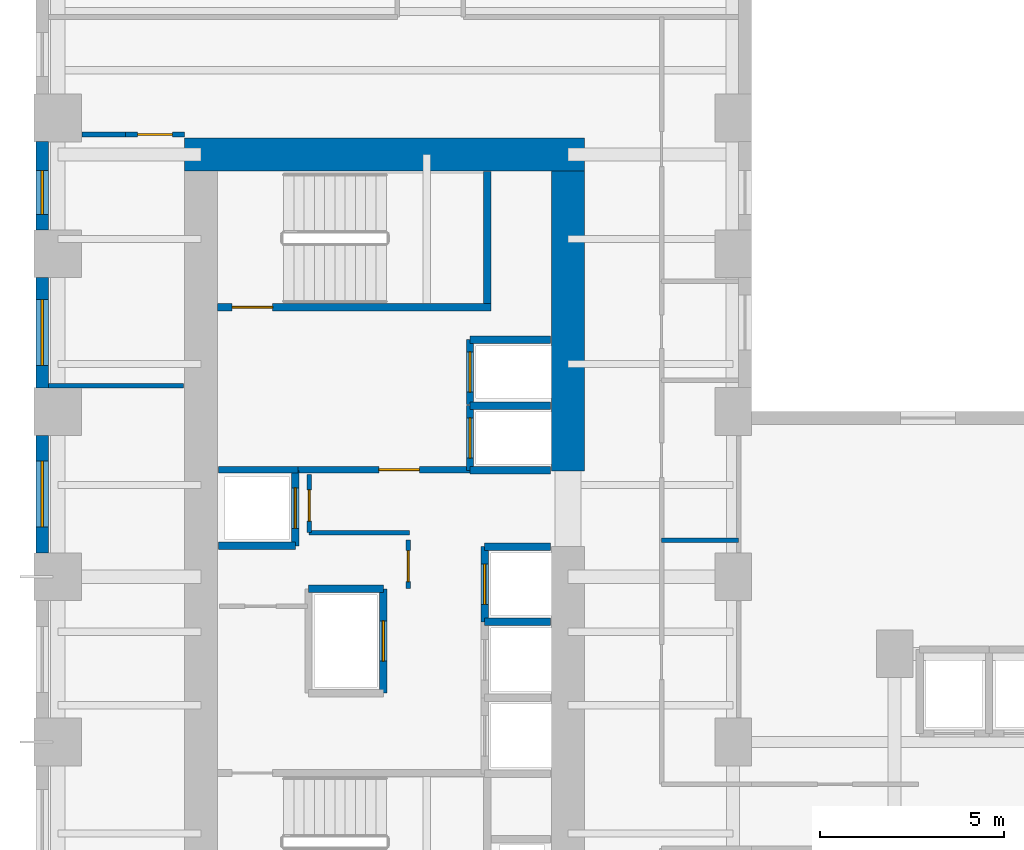
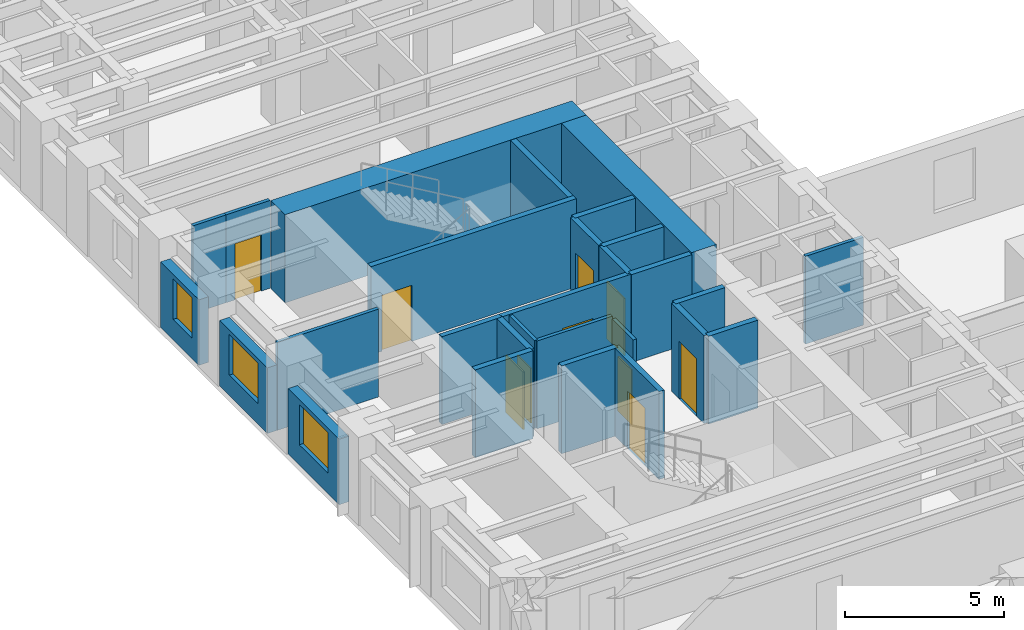
# One storey, part 5 of 12: 28 walls, 10 doors, 3 windows, 13 openings.
"""IFC4 building model written with IfcOpenShell, lengths in metres."""

from ifc_helpers import new_model, si_unit, direction, frame, frame_2d, origin, place, context, subcontext, project, spatial, rectangle, extrude, source, transform, mapped, material, layer, layer_set, type_object, element, fill, save


model = new_model("IFC4")

# Units and contexts
model_context = context("Model", 3, precision=1e-05, world=origin(), true_north=direction((0.0, 1.0)))
body_context = subcontext(model_context, "Body", "Model", "MODEL_VIEW")
ifc_project = project(units=[si_unit("LENGTHUNIT", "METRE"), si_unit("AREAUNIT", "SQUARE_METRE"), si_unit("VOLUMEUNIT", "CUBIC_METRE"), si_unit("PLANEANGLEUNIT", "RADIAN"), si_unit("MASSUNIT", "GRAM", prefix="KILO")], contexts=[model_context])

# Site, building, storey
site_placement = place(None, origin())
site = spatial("IfcSite", under=ifc_project, at=site_placement, CompositionType="ELEMENT")
building_placement = place(site_placement, origin())
building = spatial("IfcBuilding", under=site, at=building_placement, Name="Kharzan Plaza Tower", CompositionType="ELEMENT")
storey_placement = place(building_placement, frame((0.0, 0.0, 33.300048828125)))
storey = spatial("IfcBuildingStorey", under=building, at=storey_placement, Name="L08", CompositionType="ELEMENT", Elevation=33.300048828125)

# Wall, opening, window
ifc_material_1 = material(Name="Concrete C40/50", Category="concrete")
ifc_layer_1 = layer(ifc_material_1, 0.35009765625)
ifc_layer_set_1 = layer_set([ifc_layer_1], Name="Concrete C40/50")
wall_type_1 = type_object("IfcWallType", Name="WL-EXT-MAS-Z1", PredefinedType="SOLIDWALL", material=ifc_layer_set_1)
wall_1_placement = place(storey_placement, frame((0.175048828125, 29.85205078125, 0.0), z_axis=(0.0, 0.0, 1.0), x_axis=(0.0, -1.0, 0.0)))
wall_1 = element("IfcWall", 1, at=wall_1_placement, inside=storey, type_object=wall_type_1, Name="L08 Masonry-Frame Exterior Wall 14", PredefinedType="SOLIDWALL", context=body_context, shape_type="SweptSolid", body=[
    extrude(rectangle(XDim=2.404052734375, YDim=0.35009765625, at=frame_2d((1.2021484375, 0.0))), origin(), (0.0, 0.0, 1.0), 2.510009765625),
])
opening_1_placement = place(wall_1_placement, frame((0.786865234375, 0.0, 0.780029296875)))
opening_1 = element("IfcOpeningElement", 2, at=opening_1_placement, cuts=wall_1, Name="Opening W3", PredefinedType="OPENING", context=body_context, shape_type="SweptSolid", body=[
    extrude(rectangle(XDim=1.199951171875, YDim=1.550048828125, at=frame_2d((0.60009765625, 0.77490234375))), frame((0.0, 0.18505859375, 0.0), z_axis=(0.0, -1.0, 0.0), x_axis=(1.0, 0.0, 0.0)), (0.0, 0.0, 1.0), 0.3701171875),
])
ifc_material_2 = material(Name="Low-E Double Glazing", Category="glass")
window_type_1 = type_object("IfcWindowType", Name="WN-REC-1200x2100", PartitioningType="SINGLE_PANEL", PredefinedType="WINDOW", material=ifc_material_2)
shared_shape_1 = source(origin(), body_context, "Body", "SweptSolid", [
    extrude(rectangle(XDim=1.199951171875, YDim=1.550048828125, at=frame_2d((0.60009765625, 0.77490234375))), frame((0.0, 0.030029296875, 0.0), z_axis=(0.0, -1.0, 0.0), x_axis=(1.0, 0.0, 0.0)), (0.0, 0.0, 1.0), 0.06005859375),
])
window_1_placement = place(opening_1_placement, origin())
window_1 = element("IfcWindow", 3, at=window_1_placement, inside=storey, type_object=window_type_1, Name="L08 Recessed Solar-Control Window 14-1", OverallHeight=1.550048828125, OverallWidth=1.199951171875, PartitioningType="SINGLE_PANEL", PredefinedType="WINDOW", context=body_context, shape_type="MappedRepresentation", body=[
    mapped(shared_shape_1, transform((0.0, 0.0, 0.0), x_axis=(1.0, 0.0, 0.0), y_axis=(0.0, 1.0, 0.0), z_axis=(0.0, 0.0, 1.0))),
])
fill(opening_1, window_1)

wall_2_placement = place(storey_placement, frame((0.175048828125, 26.152099609375, 0.0), z_axis=(0.0, 0.0, 1.0), x_axis=(0.0, -1.0, 0.0)))
wall_2 = element("IfcWall", 4, at=wall_2_placement, inside=storey, type_object=wall_type_1, Name="L08 Masonry-Frame Exterior Wall 15", PredefinedType="SOLIDWALL", context=body_context, shape_type="SweptSolid", body=[
    extrude(rectangle(XDim=3.004150390625, YDim=0.35009765625, at=frame_2d((1.501953125, 0.0))), origin(), (0.0, 0.0, 1.0), 2.510009765625),
])
opening_2_placement = place(wall_2_placement, frame((0.60205078125, 0.0, 0.780029296875)))
opening_2 = element("IfcOpeningElement", 5, at=opening_2_placement, cuts=wall_2, Name="Opening W1", PredefinedType="OPENING", context=body_context, shape_type="SweptSolid", body=[
    extrude(rectangle(XDim=1.800048828125, YDim=1.550048828125, at=frame_2d((0.89990234375, 0.77490234375))), frame((0.0, 0.18505859375, 0.0), z_axis=(0.0, -1.0, 0.0), x_axis=(1.0, 0.0, 0.0)), (0.0, 0.0, 1.0), 0.3701171875),
])
window_type_2 = type_object("IfcWindowType", Name="WN-REC-1800x2100", PartitioningType="SINGLE_PANEL", PredefinedType="WINDOW", material=ifc_material_2)
shared_shape_2 = source(origin(), body_context, "Body", "SweptSolid", [
    extrude(rectangle(XDim=1.800048828125, YDim=1.550048828125, at=frame_2d((0.89990234375, 0.77490234375))), frame((0.0, 0.030029296875, 0.0), z_axis=(0.0, -1.0, 0.0), x_axis=(1.0, 0.0, 0.0)), (0.0, 0.0, 1.0), 0.06005859375),
])
window_2_placement = place(opening_2_placement, origin())
window_2 = element("IfcWindow", 6, at=window_2_placement, inside=storey, type_object=window_type_2, Name="L08 Recessed Solar-Control Window 15-1", OverallHeight=1.550048828125, OverallWidth=1.800048828125, PartitioningType="SINGLE_PANEL", PredefinedType="WINDOW", context=body_context, shape_type="MappedRepresentation", body=[
    mapped(shared_shape_2, transform((0.0, 0.0, 0.0), x_axis=(1.0, 0.0, 0.0), y_axis=(0.0, 1.0, 0.0), z_axis=(0.0, 0.0, 1.0))),
])
fill(opening_2, window_2)

wall_3_placement = place(storey_placement, frame((0.175048828125, 21.85205078125, 0.0), z_axis=(0.0, 0.0, 1.0), x_axis=(0.0, -1.0, 0.0)))
wall_3 = element("IfcWall", 7, at=wall_3_placement, inside=storey, type_object=wall_type_1, Name="L08 Masonry-Frame Exterior Wall 16", PredefinedType="SOLIDWALL", context=body_context, shape_type="SweptSolid", body=[
    extrude(rectangle(XDim=3.2041015625, YDim=0.35009765625, at=frame_2d((1.60205078125, 0.0))), origin(), (0.0, 0.0, 1.0), 2.510009765625),
])
opening_3_placement = place(wall_3_placement, frame((0.701904296875, 0.0, 0.780029296875)))
opening_3 = element("IfcOpeningElement", 8, at=opening_3_placement, cuts=wall_3, Name="Opening W1", PredefinedType="OPENING", context=body_context, shape_type="SweptSolid", body=[
    extrude(rectangle(XDim=1.800048828125, YDim=1.550048828125, at=frame_2d((0.89990234375, 0.77490234375))), frame((0.0, 0.18505859375, 0.0), z_axis=(0.0, -1.0, 0.0), x_axis=(1.0, 0.0, 0.0)), (0.0, 0.0, 1.0), 0.3701171875),
])
window_3_placement = place(opening_3_placement, origin())
window_3 = element("IfcWindow", 9, at=window_3_placement, inside=storey, type_object=window_type_2, Name="L08 Recessed Solar-Control Window 16-1", OverallHeight=1.550048828125, OverallWidth=1.800048828125, PartitioningType="SINGLE_PANEL", PredefinedType="WINDOW", context=body_context, shape_type="MappedRepresentation", body=[
    mapped(shared_shape_2, transform((0.0, 0.0, 0.0), x_axis=(1.0, 0.0, 0.0), y_axis=(0.0, 1.0, 0.0), z_axis=(0.0, 0.0, 1.0))),
])
fill(opening_3, window_3)

# Wall, opening, door
ifc_layer_2 = layer(ifc_material_1, 0.179931640625)
ifc_layer_set_2 = layer_set([ifc_layer_2], Name="Concrete C40/50")
wall_type_2 = type_object("IfcWallType", Name="WL-INT-FIRE-180", PredefinedType="PARTITIONING", material=ifc_layer_set_2)
wall_4_placement = place(storey_placement, frame((7.14990234375, 20.919921875, 0.0), z_axis=(0.0, 0.0, 1.0), x_axis=(1.0, 0.0, 0.0)))
wall_4 = element("IfcWall", 10, at=wall_4_placement, inside=storey, type_object=wall_type_2, Name="L08 Interior Partition CA-FF-S", PredefinedType="PARTITIONING", context=body_context, shape_type="SweptSolid", body=[
    extrude(rectangle(XDim=4.68017578125, YDim=0.179931640625, at=frame_2d((2.340087890625, 0.0))), origin(), (0.0, 0.0, 1.0), 3.364990234375),
])
opening_4_placement = place(wall_4_placement, frame((2.199951171875, 0.0, 0.0)))
opening_4 = element("IfcOpeningElement", 11, at=opening_4_placement, cuts=wall_4, Name="Opening FD1", PredefinedType="OPENING", context=body_context, shape_type="SweptSolid", body=[
    extrude(rectangle(XDim=1.10009765625, YDim=2.14990234375, at=frame_2d((0.550048828125, 1.074951171875))), frame((0.0, 0.099853515625, 0.0), z_axis=(0.0, -1.0, 0.0), x_axis=(1.0, 0.0, 0.0)), (0.0, 0.0, 1.0), 0.199951171875),
])
ifc_material_3 = material(Name="Fire-Rated Acoustic Vision-Panel Steel", Category="steel")
door_type_1 = type_object("IfcDoorType", Name="DR-FIRE-LOBBY", OperationType="NOTDEFINED", PredefinedType="DOOR", material=ifc_material_3)
shared_shape_3 = source(origin(), body_context, "Body", "SweptSolid", [
    extrude(rectangle(XDim=1.10009765625, YDim=2.14990234375, at=frame_2d((0.550048828125, 1.074951171875))), frame((0.0, 0.02490234375, 0.0), z_axis=(0.0, -1.0, 0.0), x_axis=(1.0, 0.0, 0.0)), (0.0, 0.0, 1.0), 0.050048828125),
])
door_1_placement = place(opening_4_placement, origin())
door_1 = element("IfcDoor", 12, at=door_1_placement, inside=storey, type_object=door_type_1, Name="L08 Firefighting Lobby Door", OperationType="SINGLE_SWING_RIGHT", OverallHeight=2.14990234375, OverallWidth=1.10009765625, PredefinedType="DOOR", context=body_context, shape_type="MappedRepresentation", body=[
    mapped(shared_shape_3, transform((0.0, 0.0, 0.0), x_axis=(1.0, 0.0, 0.0), y_axis=(0.0, 1.0, 0.0), z_axis=(0.0, 0.0, 1.0))),
])
fill(opening_4, door_1)

ifc_material_4 = material(Name="Fire-Rated Gypsum Board Partition", Category="gypsum")
ifc_layer_3 = layer(ifc_material_4, 0.125)
ifc_layer_set_3 = layer_set([ifc_layer_3], Name="Fire-Rated Gypsum Board Partition")
wall_type_3 = type_object("IfcWallType", Name="WL-INT-PART-125", PredefinedType="PARTITIONING", material=ifc_layer_set_3)
wall_5_placement = place(storey_placement, frame((10.14990234375, 17.679931640625, 0.0), z_axis=(0.0, 0.0, 1.0), x_axis=(0.0, 1.0, 0.0)))
wall_5 = element("IfcWall", 13, at=wall_5_placement, inside=storey, type_object=wall_type_3, Name="L08 Interior Partition CA-K2A", PredefinedType="PARTITIONING", context=body_context, shape_type="SweptSolid", body=[
    extrude(rectangle(XDim=1.320068359375, YDim=0.125, at=frame_2d((0.66015625, 0.0))), origin(), (0.0, 0.0, 1.0), 3.364990234375),
])
opening_5_placement = place(wall_5_placement, frame((0.18505859375, 0.0, 0.0)))
opening_5 = element("IfcOpeningElement", 14, at=opening_5_placement, cuts=wall_5, Name="Opening RD1", PredefinedType="OPENING", context=body_context, shape_type="SweptSolid", body=[
    extrude(rectangle(XDim=0.85009765625, YDim=2.10009765625, at=frame_2d((0.425048828125, 1.050048828125))), frame((0.0, 0.072509765625, 0.0), z_axis=(0.0, -1.0, 0.0), x_axis=(1.0, 0.0, 0.0)), (0.0, 0.0, 1.0), 0.14501953125),
])
ifc_material_5 = material(Name="Powder-Coated Fire-Rated Steel", Category="steel")
door_type_2 = type_object("IfcDoorType", Name="DR-RISER-900", OperationType="NOTDEFINED", PredefinedType="DOOR", material=ifc_material_5)
shared_shape_4 = source(origin(), body_context, "Body", "SweptSolid", [
    extrude(rectangle(XDim=0.85009765625, YDim=2.10009765625, at=frame_2d((0.425048828125, 1.050048828125))), frame((0.0, 0.02490234375, 0.0), z_axis=(0.0, -1.0, 0.0), x_axis=(1.0, 0.0, 0.0)), (0.0, 0.0, 1.0), 0.050048828125),
])
door_2_placement = place(opening_5_placement, origin())
door_2 = element("IfcDoor", 15, at=door_2_placement, inside=storey, type_object=door_type_2, Name="L08 Core Mechanical Store Door", OperationType="SINGLE_SWING_LEFT", OverallHeight=2.10009765625, OverallWidth=0.85009765625, PredefinedType="DOOR", context=body_context, shape_type="MappedRepresentation", body=[
    mapped(shared_shape_4, transform((0.0, 0.0, 0.0), x_axis=(1.0, 0.0, 0.0), y_axis=(0.0, 1.0, 0.0), z_axis=(0.0, 0.0, 1.0))),
])
fill(opening_5, door_2)

wall_6_placement = place(storey_placement, frame((7.449951171875, 19.199951171875, 0.0), z_axis=(0.0, 0.0, 1.0), x_axis=(0.0, 1.0, 0.0)))
wall_6 = element("IfcWall", 16, at=wall_6_placement, inside=storey, type_object=wall_type_3, Name="L08 Interior Partition CA-K2B", PredefinedType="PARTITIONING", context=body_context, shape_type="SweptSolid", body=[
    extrude(rectangle(XDim=1.580078125, YDim=0.125, at=frame_2d((0.7900390625, 0.0))), origin(), (0.0, 0.0, 1.0), 3.364990234375),
])
opening_6_placement = place(wall_6_placement, frame((0.31494140625, 0.0, 0.0)))
opening_6 = element("IfcOpeningElement", 17, at=opening_6_placement, cuts=wall_6, Name="Opening RD1", PredefinedType="OPENING", context=body_context, shape_type="SweptSolid", body=[
    extrude(rectangle(XDim=0.85009765625, YDim=2.10009765625, at=frame_2d((0.425048828125, 1.050048828125))), frame((0.0, 0.072509765625, 0.0), z_axis=(0.0, -1.0, 0.0), x_axis=(1.0, 0.0, 0.0)), (0.0, 0.0, 1.0), 0.14501953125),
])
door_3_placement = place(opening_6_placement, origin())
door_3 = element("IfcDoor", 18, at=door_3_placement, inside=storey, type_object=door_type_2, Name="L08 Core Plant Store Door", OperationType="SINGLE_SWING_RIGHT", OverallHeight=2.10009765625, OverallWidth=0.85009765625, PredefinedType="DOOR", context=body_context, shape_type="MappedRepresentation", body=[
    mapped(shared_shape_4, transform((0.0, 0.0, 0.0), x_axis=(1.0, 0.0, 0.0), y_axis=(0.0, 1.0, 0.0), z_axis=(0.0, 0.0, 1.0))),
])
fill(opening_6, door_3)

wall_7_placement = place(storey_placement, frame((2.449951171875, 30.050048828125, 0.0), z_axis=(0.0, 0.0, 1.0), x_axis=(1.0, 0.0, 0.0)))
wall_7 = element("IfcWall", 19, at=wall_7_placement, inside=storey, type_object=wall_type_3, Name="L08 Interior Partition SH-RWND", PredefinedType="PARTITIONING", context=body_context, shape_type="SweptSolid", body=[
    extrude(rectangle(XDim=1.60009765625, YDim=0.125, at=frame_2d((0.800048828125, 0.0))), origin(), (0.0, 0.0, 1.0), 3.364990234375),
])
opening_7_placement = place(wall_7_placement, frame((0.324951171875, 0.0, 0.0)))
opening_7 = element("IfcOpeningElement", 20, at=opening_7_placement, cuts=wall_7, Name="Opening OD1", PredefinedType="OPENING", context=body_context, shape_type="SweptSolid", body=[
    extrude(rectangle(XDim=0.949951171875, YDim=2.14990234375, at=frame_2d((0.47509765625, 1.074951171875))), frame((0.0, 0.072509765625, 0.0), z_axis=(0.0, -1.0, 0.0), x_axis=(1.0, 0.0, 0.0)), (0.0, 0.0, 1.0), 0.14501953125),
])
ifc_material_6 = material(Name="Acoustic Solid-Core Stained Oak", Category="timber")
door_type_3 = type_object("IfcDoorType", Name="DR-OFF-SINGLE", OperationType="NOTDEFINED", PredefinedType="DOOR", material=ifc_material_6)
shared_shape_5 = source(origin(), body_context, "Body", "SweptSolid", [
    extrude(rectangle(XDim=0.949951171875, YDim=2.14990234375, at=frame_2d((0.47509765625, 1.074951171875))), frame((0.0, 0.02490234375, 0.0), z_axis=(0.0, -1.0, 0.0), x_axis=(1.0, 0.0, 0.0)), (0.0, 0.0, 1.0), 0.050048828125),
])
door_4_placement = place(opening_7_placement, origin())
door_4 = element("IfcDoor", 21, at=door_4_placement, inside=storey, type_object=door_type_3, Name="L08 West Office 2 Door", OperationType="SINGLE_SWING_RIGHT", OverallHeight=2.14990234375, OverallWidth=0.949951171875, PredefinedType="DOOR", context=body_context, shape_type="MappedRepresentation", body=[
    mapped(shared_shape_5, transform((0.0, 0.0, 0.0), x_axis=(1.0, 0.0, 0.0), y_axis=(0.0, 1.0, 0.0), z_axis=(0.0, 0.0, 1.0))),
])
fill(opening_7, door_4)

ifc_layer_4 = layer(ifc_material_1, 0.199951171875)
ifc_layer_set_4 = layer_set([ifc_layer_4], Name="Concrete C40/50")
wall_type_4 = type_object("IfcWallType", Name="WL-INT-SHAFT-200", PredefinedType="PARTITIONING", material=ifc_layer_set_4)
wall_8_placement = place(storey_placement, frame((11.830078125, 20.89990234375, 0.0), z_axis=(0.0, 0.0, 1.0), x_axis=(0.0, 1.0, 0.0)))
wall_8 = element("IfcWall", 22, at=wall_8_placement, inside=storey, type_object=wall_type_4, Name="L08 Interior Partition SHF-FFL-1-W", PredefinedType="PARTITIONING", context=body_context, shape_type="SweptSolid", body=[
    extrude(rectangle(XDim=1.760009765625, YDim=0.199951171875, at=frame_2d((0.8798828125, 0.0))), origin(), (0.0, 0.0, 1.0), 3.364990234375),
])
opening_8_placement = place(wall_8_placement, frame((0.330078125, 0.0, 0.0)))
opening_8 = element("IfcOpeningElement", 23, at=opening_8_placement, cuts=wall_8, Name="Opening LD", PredefinedType="OPENING", context=body_context, shape_type="SweptSolid", body=[
    extrude(rectangle(XDim=1.10009765625, YDim=2.199951171875, at=frame_2d((0.550048828125, 1.10009765625))), frame((0.0, 0.10986328125, 0.0), z_axis=(0.0, -1.0, 0.0), x_axis=(1.0, 0.0, 0.0)), (0.0, 0.0, 1.0), 0.219970703125),
])
ifc_material_7 = material(Name="Brushed Stainless Steel", Category="steel")
door_type_4 = type_object("IfcDoorType", Name="DR-LIFT-SLIDE", OperationType="SLIDING_TO_LEFT", PredefinedType="DOOR", material=ifc_material_7)
shared_shape_6 = source(origin(), body_context, "Body", "SweptSolid", [
    extrude(rectangle(XDim=1.10009765625, YDim=2.199951171875, at=frame_2d((0.550048828125, 1.10009765625))), frame((0.0, 0.02490234375, 0.0), z_axis=(0.0, -1.0, 0.0), x_axis=(1.0, 0.0, 0.0)), (0.0, 0.0, 1.0), 0.050048828125),
])
door_5_placement = place(opening_8_placement, origin())
door_5 = element("IfcDoor", 24, at=door_5_placement, inside=storey, type_object=door_type_4, Name="L08 Firefighting Lift FFL-1 Sliding Landing Door", OperationType="SLIDING_TO_LEFT", OverallHeight=2.199951171875, OverallWidth=1.10009765625, PredefinedType="DOOR", context=body_context, shape_type="MappedRepresentation", body=[
    mapped(shared_shape_6, transform((0.0, 0.0, 0.0), x_axis=(1.0, 0.0, 0.0), y_axis=(0.0, 1.0, 0.0), z_axis=(0.0, 0.0, 1.0))),
])
fill(opening_8, door_5)

wall_9_placement = place(storey_placement, frame((11.830078125, 22.699951171875, 0.0), z_axis=(0.0, 0.0, 1.0), x_axis=(0.0, 1.0, 0.0)))
wall_9 = element("IfcWall", 25, at=wall_9_placement, inside=storey, type_object=wall_type_4, Name="L08 Interior Partition SHF-FFL-2-W", PredefinedType="PARTITIONING", context=body_context, shape_type="SweptSolid", body=[
    extrude(rectangle(XDim=1.760009765625, YDim=0.199951171875, at=frame_2d((0.8798828125, 0.0))), origin(), (0.0, 0.0, 1.0), 3.364990234375),
])
opening_9_placement = place(wall_9_placement, frame((0.330078125, 0.0, 0.0)))
opening_9 = element("IfcOpeningElement", 26, at=opening_9_placement, cuts=wall_9, Name="Opening LD", PredefinedType="OPENING", context=body_context, shape_type="SweptSolid", body=[
    extrude(rectangle(XDim=1.10009765625, YDim=2.199951171875, at=frame_2d((0.550048828125, 1.10009765625))), frame((0.0, 0.10986328125, 0.0), z_axis=(0.0, -1.0, 0.0), x_axis=(1.0, 0.0, 0.0)), (0.0, 0.0, 1.0), 0.219970703125),
])
door_6_placement = place(opening_9_placement, origin())
door_6 = element("IfcDoor", 27, at=door_6_placement, inside=storey, type_object=door_type_4, Name="L08 Firefighting Lift FFL-2 Sliding Landing Door", OperationType="SLIDING_TO_LEFT", OverallHeight=2.199951171875, OverallWidth=1.10009765625, PredefinedType="DOOR", context=body_context, shape_type="MappedRepresentation", body=[
    mapped(shared_shape_6, transform((0.0, 0.0, 0.0), x_axis=(1.0, 0.0, 0.0), y_axis=(0.0, 1.0, 0.0), z_axis=(0.0, 0.0, 1.0))),
])
fill(opening_9, door_6)

wall_10_placement = place(storey_placement, frame((12.22998046875, 16.77001953125, 0.0), z_axis=(0.0, 0.0, 1.0), x_axis=(0.0, 1.0, 0.0)))
wall_10 = element("IfcWall", 28, at=wall_10_placement, inside=storey, type_object=wall_type_4, Name="L08 Interior Partition SHF-PL-H3-W", PredefinedType="PARTITIONING", context=body_context, shape_type="SweptSolid", body=[
    extrude(rectangle(XDim=2.050048828125, YDim=0.199951171875, at=frame_2d((1.02490234375, 0.0))), origin(), (0.0, 0.0, 1.0), 3.364990234375),
])
opening_10_placement = place(wall_10_placement, frame((0.47509765625, 0.0, 0.0)))
opening_10 = element("IfcOpeningElement", 29, at=opening_10_placement, cuts=wall_10, Name="Opening LD", PredefinedType="OPENING", context=body_context, shape_type="SweptSolid", body=[
    extrude(rectangle(XDim=1.10009765625, YDim=2.199951171875, at=frame_2d((0.550048828125, 1.10009765625))), frame((0.0, 0.10986328125, 0.0), z_axis=(0.0, -1.0, 0.0), x_axis=(1.0, 0.0, 0.0)), (0.0, 0.0, 1.0), 0.219970703125),
])
door_7_placement = place(opening_10_placement, origin())
door_7 = element("IfcDoor", 30, at=door_7_placement, inside=storey, type_object=door_type_4, Name="L08 High-Rise Passenger Lift PL-H3 Sliding Landing Door", OperationType="SLIDING_TO_LEFT", OverallHeight=2.199951171875, OverallWidth=1.10009765625, PredefinedType="DOOR", context=body_context, shape_type="MappedRepresentation", body=[
    mapped(shared_shape_6, transform((0.0, 0.0, 0.0), x_axis=(1.0, 0.0, 0.0), y_axis=(0.0, 1.0, 0.0), z_axis=(0.0, 0.0, 1.0))),
])
fill(opening_10, door_7)

wall_11_placement = place(storey_placement, frame((7.070068359375, 18.840087890625, 0.0), z_axis=(0.0, 0.0, 1.0), x_axis=(0.0, 1.0, 0.0)))
wall_11 = element("IfcWall", 31, at=wall_11_placement, inside=storey, type_object=wall_type_4, Name="L08 Interior Partition SHF-PL-H4-E", PredefinedType="PARTITIONING", context=body_context, shape_type="SweptSolid", body=[
    extrude(rectangle(XDim=2.059814453125, YDim=0.199951171875, at=frame_2d((1.02978515625, 0.0))), origin(), (0.0, 0.0, 1.0), 3.364990234375),
])
opening_11_placement = place(wall_11_placement, frame((0.47998046875, 0.0, 0.0)))
opening_11 = element("IfcOpeningElement", 32, at=opening_11_placement, cuts=wall_11, Name="Opening LD", PredefinedType="OPENING", context=body_context, shape_type="SweptSolid", body=[
    extrude(rectangle(XDim=1.10009765625, YDim=2.199951171875, at=frame_2d((0.550048828125, 1.10009765625))), frame((0.0, 0.10986328125, 0.0), z_axis=(0.0, -1.0, 0.0), x_axis=(1.0, 0.0, 0.0)), (0.0, 0.0, 1.0), 0.219970703125),
])
door_8_placement = place(opening_11_placement, origin())
door_8 = element("IfcDoor", 33, at=door_8_placement, inside=storey, type_object=door_type_4, Name="L08 High-Rise Passenger Lift PL-H4 Sliding Landing Door", OperationType="SLIDING_TO_LEFT", OverallHeight=2.199951171875, OverallWidth=1.10009765625, PredefinedType="DOOR", context=body_context, shape_type="MappedRepresentation", body=[
    mapped(shared_shape_6, transform((0.0, 0.0, 0.0), x_axis=(1.0, 0.0, 0.0), y_axis=(0.0, 1.0, 0.0), z_axis=(0.0, 0.0, 1.0))),
])
fill(opening_11, door_8)

wall_12_placement = place(storey_placement, frame((9.469970703125, 14.830078125, 0.0), z_axis=(0.0, 0.0, 1.0), x_axis=(0.0, 1.0, 0.0)))
wall_12 = element("IfcWall", 34, at=wall_12_placement, inside=storey, type_object=wall_type_4, Name="L08 Interior Partition SHF-SVL-1-E", PredefinedType="PARTITIONING", context=body_context, shape_type="SweptSolid", body=[
    extrude(rectangle(XDim=2.83984375, YDim=0.199951171875, at=frame_2d((1.419921875, 0.0))), origin(), (0.0, 0.0, 1.0), 3.364990234375),
])
opening_12_placement = place(wall_12_placement, frame((0.8701171875, 0.0, 0.0)))
opening_12 = element("IfcOpeningElement", 35, at=opening_12_placement, cuts=wall_12, Name="Opening LD", PredefinedType="OPENING", context=body_context, shape_type="SweptSolid", body=[
    extrude(rectangle(XDim=1.10009765625, YDim=2.199951171875, at=frame_2d((0.550048828125, 1.10009765625))), frame((0.0, 0.10986328125, 0.0), z_axis=(0.0, -1.0, 0.0), x_axis=(1.0, 0.0, 0.0)), (0.0, 0.0, 1.0), 0.219970703125),
])
door_9_placement = place(opening_12_placement, origin())
door_9 = element("IfcDoor", 36, at=door_9_placement, inside=storey, type_object=door_type_4, Name="L08 Service Lift SVL-1 Sliding Landing Door", OperationType="SLIDING_TO_LEFT", OverallHeight=2.199951171875, OverallWidth=1.10009765625, PredefinedType="DOOR", context=body_context, shape_type="MappedRepresentation", body=[
    mapped(shared_shape_6, transform((0.0, 0.0, 0.0), x_axis=(1.0, 0.0, 0.0), y_axis=(0.0, 1.0, 0.0), z_axis=(0.0, 0.0, 1.0))),
])
fill(opening_12, door_9)

ifc_material_8 = material(Name="Concrete C50/60", Category="concrete")
ifc_layer_5 = layer(ifc_material_8, 0.199951171875)
ifc_layer_set_5 = layer_set([ifc_layer_5], Name="Concrete C50/60")
wall_type_5 = type_object("IfcWallType", Name="WL-SHAFT-RC200", PredefinedType="SHEAR", material=ifc_layer_set_5)
wall_13_placement = place(storey_placement, frame((4.951904296875, 25.344970703125, 0.0), z_axis=(0.0, 0.0, 1.0), x_axis=(1.0, 0.0, 0.0)))
wall_13 = element("IfcWall", 37, at=wall_13_placement, inside=storey, type_object=wall_type_5, Name="L08 Stair ST-2 South RC Shaft Wall", PredefinedType="SHEAR", context=body_context, shape_type="SweptSolid", body=[
    extrude(rectangle(XDim=7.453125, YDim=0.199951171875, at=frame_2d((3.7265625, 0.0))), origin(), (0.0, 0.0, 1.0), 3.3798828125),
])
opening_13_placement = place(wall_13_placement, frame((0.39990234375, 0.0, 0.0)))
opening_13 = element("IfcOpeningElement", 38, at=opening_13_placement, cuts=wall_13, Name="Opening SD1", PredefinedType="OPENING", context=body_context, shape_type="SweptSolid", body=[
    extrude(rectangle(XDim=1.10009765625, YDim=2.14990234375, at=frame_2d((0.550048828125, 1.074951171875))), frame((0.0, 0.10986328125, 0.0), z_axis=(0.0, -1.0, 0.0), x_axis=(1.0, 0.0, 0.0)), (0.0, 0.0, 1.0), 0.219970703125),
])
ifc_material_9 = material(Name="Fire-Rated Hollow Galvanized Steel", Category="steel")
door_type_5 = type_object("IfcDoorType", Name="DR-STAIR-FD120", OperationType="NOTDEFINED", PredefinedType="DOOR", material=ifc_material_9)
shared_shape_7 = source(origin(), body_context, "Body", "SweptSolid", [
    extrude(rectangle(XDim=1.10009765625, YDim=2.14990234375, at=frame_2d((0.550048828125, 1.074951171875))), frame((0.0, 0.02490234375, 0.0), z_axis=(0.0, -1.0, 0.0), x_axis=(1.0, 0.0, 0.0)), (0.0, 0.0, 1.0), 0.050048828125),
])
door_10_placement = place(opening_13_placement, origin())
door_10 = element("IfcDoor", 39, at=door_10_placement, inside=storey, type_object=door_type_5, Name="L08 Stair ST-2 Fire Exit Door", OperationType="SINGLE_SWING_LEFT", OverallHeight=2.14990234375, OverallWidth=1.10009765625, PredefinedType="DOOR", context=body_context, shape_type="MappedRepresentation", body=[
    mapped(shared_shape_7, transform((0.0, 0.0, 0.0), x_axis=(1.0, 0.0, 0.0), y_axis=(0.0, 1.0, 0.0), z_axis=(0.0, 0.0, 1.0))),
])
fill(opening_13, door_10)

# Walls
ifc_material_10 = material(Name="Concrete C60/75", Category="concrete")
ifc_layer_6 = layer(ifc_material_10, 0.89990234375)
ifc_layer_set_6 = layer_set([ifc_layer_6], Name="Concrete C60/75")
wall_type_6 = type_object("IfcWallType", Name="WL-CORE-900", PredefinedType="SHEAR", material=ifc_layer_set_6)
shared_shape_8 = source(origin(), body_context, "Body", "SweptSolid", [
    extrude(rectangle(XDim=8.170166015625, YDim=0.89990234375, at=frame_2d((4.0849609375, 0.0))), origin(), (0.0, 0.0, 1.0), 3.3798828125),
])
wall_14_placement = place(storey_placement, frame((14.5, 20.8798828125, 0.0), z_axis=(0.0, 0.0, 1.0), x_axis=(0.0, 1.0, 0.0)))
element("IfcWall", 40, at=wall_14_placement, inside=storey, type_object=wall_type_6, Name="L08 CORE-A east shear pier 2", PredefinedType="SHEAR", context=body_context, shape_type="MappedRepresentation", body=[
    mapped(shared_shape_8, transform((0.0, 0.0, 0.0), x_axis=(1.0, 0.0, 0.0), y_axis=(0.0, 1.0, 0.0), z_axis=(0.0, 0.0, 1.0))),
])
shared_shape_9 = source(origin(), body_context, "Body", "SweptSolid", [
    extrude(rectangle(XDim=10.89990234375, YDim=0.89990234375, at=frame_2d((5.449951171875, 0.0))), origin(), (0.0, 0.0, 1.0), 3.3798828125),
])
wall_15_placement = place(storey_placement, frame((4.050048828125, 29.5, 0.0), z_axis=(0.0, 0.0, 1.0), x_axis=(1.0, 0.0, 0.0)))
element("IfcWall", 41, at=wall_15_placement, inside=storey, type_object=wall_type_6, Name="L08 CORE-A north RC shear wall", PredefinedType="SHEAR", context=body_context, shape_type="MappedRepresentation", body=[
    mapped(shared_shape_9, transform((0.0, 0.0, 0.0), x_axis=(1.0, 0.0, 0.0), y_axis=(0.0, 1.0, 0.0), z_axis=(0.0, 0.0, 1.0))),
])
shared_shape_10 = source(origin(), body_context, "Body", "SweptSolid", [
    extrude(rectangle(XDim=2.169921875, YDim=0.179931640625, at=frame_2d((1.0849609375, 0.0))), origin(), (0.0, 0.0, 1.0), 3.364990234375),
])
wall_16_placement = place(storey_placement, frame((4.97998046875, 20.919921875, 0.0), z_axis=(0.0, 0.0, 1.0), x_axis=(1.0, 0.0, 0.0)))
element("IfcWall", 42, at=wall_16_placement, inside=storey, type_object=wall_type_2, Name="L08 Interior Partition CA-FF-SW", PredefinedType="PARTITIONING", context=body_context, shape_type="MappedRepresentation", body=[
    mapped(shared_shape_10, transform((0.0, 0.0, 0.0), x_axis=(1.0, 0.0, 0.0), y_axis=(0.0, 1.0, 0.0), z_axis=(0.0, 0.0, 1.0))),
])
shared_shape_11 = source(origin(), body_context, "Body", "SweptSolid", [
    extrude(rectangle(XDim=2.72998046875, YDim=0.125, at=frame_2d((1.364990234375, 0.0))), origin(), (0.0, 0.0, 1.0), 3.364990234375),
])
wall_17_placement = place(storey_placement, frame((7.449951171875, 19.199951171875, 0.0), z_axis=(0.0, 0.0, 1.0), x_axis=(1.0, 0.0, 0.0)))
element("IfcWall", 43, at=wall_17_placement, inside=storey, type_object=wall_type_3, Name="L08 Interior Partition CA-K2M", PredefinedType="PARTITIONING", context=body_context, shape_type="MappedRepresentation", body=[
    mapped(shared_shape_11, transform((0.0, 0.0, 0.0), x_axis=(1.0, 0.0, 0.0), y_axis=(0.0, 1.0, 0.0), z_axis=(0.0, 0.0, 1.0))),
])
shared_shape_12 = source(origin(), body_context, "Body", "SweptSolid", [
    extrude(rectangle(XDim=1.18994140625, YDim=0.125, at=frame_2d((0.594970703125, 0.0))), origin(), (0.0, 0.0, 1.0), 3.364990234375),
])
wall_18_placement = place(storey_placement, frame((1.260009765625, 30.050048828125, 0.0), z_axis=(0.0, 0.0, 1.0), x_axis=(1.0, 0.0, 0.0)))
element("IfcWall", 44, at=wall_18_placement, inside=storey, type_object=wall_type_3, Name="L08 Interior Partition SH-RWN0", PredefinedType="PARTITIONING", context=body_context, shape_type="MappedRepresentation", body=[
    mapped(shared_shape_12, transform((0.0, 0.0, 0.0), x_axis=(1.0, 0.0, 0.0), y_axis=(0.0, 1.0, 0.0), z_axis=(0.0, 0.0, 1.0))),
])
shared_shape_13 = source(origin(), body_context, "Body", "SweptSolid", [
    extrude(rectangle(XDim=2.18994140625, YDim=0.199951171875, at=frame_2d((1.094970703125, 0.0))), origin(), (0.0, 0.0, 1.0), 3.364990234375),
])
for number, where, z_axis, x_axis, name in (
    (45, (11.830078125, 22.659912109375, 0.0), (0.0, 0.0, 1.0), (1.0, 0.0, 0.0), "L08 Interior Partition SHF-FFL-1-N"),
    (46, (11.830078125, 20.89990234375, 0.0), (0.0, 0.0, 1.0), (1.0, 0.0, 0.0), "L08 Interior Partition SHF-FFL-1-S"),
    (47, (11.830078125, 24.4599609375, 0.0), (0.0, 0.0, 1.0), (1.0, 0.0, 0.0), "L08 Interior Partition SHF-FFL-2-N"),
):
    element("IfcWall", number, at=place(storey_placement, frame(where, z_axis=z_axis, x_axis=x_axis)), inside=storey, type_object=wall_type_4, Name=name, PredefinedType="PARTITIONING", context=body_context, shape_type="MappedRepresentation", body=[
        mapped(shared_shape_13, transform((0.0, 0.0, 0.0), x_axis=(1.0, 0.0, 0.0), y_axis=(0.0, 1.0, 0.0), z_axis=(0.0, 0.0, 1.0))),
    ])
shared_shape_14 = source(origin(), body_context, "Body", "SweptSolid", [
    extrude(rectangle(XDim=1.7900390625, YDim=0.199951171875, at=frame_2d((0.89501953125, 0.0))), origin(), (0.0, 0.0, 1.0), 3.364990234375),
])
for number, where, z_axis, x_axis, name in (
    (48, (12.22998046875, 16.77001953125, 0.0), (0.0, 0.0, 1.0), (1.0, 0.0, 0.0), "L08 Interior Partition SHF-PL-H2-N"),
    (49, (12.22998046875, 18.820068359375, 0.0), (0.0, 0.0, 1.0), (1.0, 0.0, 0.0), "L08 Interior Partition SHF-PL-H3-N"),
):
    element("IfcWall", number, at=place(storey_placement, frame(where, z_axis=z_axis, x_axis=x_axis)), inside=storey, type_object=wall_type_4, Name=name, PredefinedType="PARTITIONING", context=body_context, shape_type="MappedRepresentation", body=[
        mapped(shared_shape_14, transform((0.0, 0.0, 0.0), x_axis=(1.0, 0.0, 0.0), y_axis=(0.0, 1.0, 0.0), z_axis=(0.0, 0.0, 1.0))),
    ])
shared_shape_15 = source(origin(), body_context, "Body", "SweptSolid", [
    extrude(rectangle(XDim=2.090087890625, YDim=0.199951171875, at=frame_2d((1.044921875, 0.0))), origin(), (0.0, 0.0, 1.0), 3.364990234375),
])
wall_19_placement = place(storey_placement, frame((4.97998046875, 18.840087890625, 0.0), z_axis=(0.0, 0.0, 1.0), x_axis=(1.0, 0.0, 0.0)))
element("IfcWall", 50, at=wall_19_placement, inside=storey, type_object=wall_type_4, Name="L08 Interior Partition SHF-PL-H4-S", PredefinedType="PARTITIONING", context=body_context, shape_type="MappedRepresentation", body=[
    mapped(shared_shape_15, transform((0.0, 0.0, 0.0), x_axis=(1.0, 0.0, 0.0), y_axis=(0.0, 1.0, 0.0), z_axis=(0.0, 0.0, 1.0))),
])
shared_shape_16 = source(origin(), body_context, "Body", "SweptSolid", [
    extrude(rectangle(XDim=2.0400390625, YDim=0.199951171875, at=frame_2d((1.02001953125, 0.0))), origin(), (0.0, 0.0, 1.0), 3.364990234375),
])
wall_20_placement = place(storey_placement, frame((7.429931640625, 17.669921875, 0.0), z_axis=(0.0, 0.0, 1.0), x_axis=(1.0, 0.0, 0.0)))
element("IfcWall", 51, at=wall_20_placement, inside=storey, type_object=wall_type_4, Name="L08 Interior Partition SHF-SVL-1-N", PredefinedType="PARTITIONING", context=body_context, shape_type="MappedRepresentation", body=[
    mapped(shared_shape_16, transform((0.0, 0.0, 0.0), x_axis=(1.0, 0.0, 0.0), y_axis=(0.0, 1.0, 0.0), z_axis=(0.0, 0.0, 1.0))),
])
shared_shape_17 = source(origin(), body_context, "Body", "SweptSolid", [
    extrude(rectangle(XDim=3.60302734375, YDim=0.199951171875, at=frame_2d((1.801513671875, 0.0))), origin(), (0.0, 0.0, 1.0), 3.3798828125),
])
wall_21_placement = place(storey_placement, frame((12.304931640625, 25.445068359375, 0.0), z_axis=(0.0, 0.0, 1.0), x_axis=(0.0, 1.0, 0.0)))
element("IfcWall", 52, at=wall_21_placement, inside=storey, type_object=wall_type_5, Name="L08 Stair ST-2 East RC Shaft Wall", PredefinedType="SHEAR", context=body_context, shape_type="MappedRepresentation", body=[
    mapped(shared_shape_17, transform((0.0, 0.0, 0.0), x_axis=(1.0, 0.0, 0.0), y_axis=(0.0, 1.0, 0.0), z_axis=(0.0, 0.0, 1.0))),
])
shared_shape_18 = source(origin(), body_context, "Body", "SweptSolid", [
    extrude(rectangle(XDim=3.66796875, YDim=0.125, at=frame_2d((1.833984375, 0.0))), origin(), (0.0, 0.0, 1.0), 3.364990234375),
])
wall_22_placement = place(storey_placement, frame((0.35205078125, 23.199951171875, 0.0), z_axis=(0.0, 0.0, 1.0), x_axis=(1.0, 0.0, 0.0)))
element("IfcWall", 53, at=wall_22_placement, inside=storey, type_object=wall_type_3, Name="L08 Interior Partition SH-WMID", PredefinedType="PARTITIONING", context=body_context, shape_type="MappedRepresentation", body=[
    mapped(shared_shape_18, transform((0.0, 0.0, 0.0), x_axis=(1.0, 0.0, 0.0), y_axis=(0.0, 1.0, 0.0), z_axis=(0.0, 0.0, 1.0))),
])
shared_shape_19 = source(origin(), body_context, "Body", "SweptSolid", [
    extrude(rectangle(XDim=2.099853515625, YDim=0.125, at=frame_2d((1.0498046875, 0.0))), origin(), (0.0, 0.0, 1.0), 3.364990234375),
])
wall_23_placement = place(storey_placement, frame((17.050048828125, 19.0, 0.0), z_axis=(0.0, 0.0, 1.0), x_axis=(1.0, 0.0, 0.0)))
element("IfcWall", 54, at=wall_23_placement, inside=storey, type_object=wall_type_3, Name="L08 Interior Partition SH-AEH-190", PredefinedType="PARTITIONING", context=body_context, shape_type="MappedRepresentation", body=[
    mapped(shared_shape_19, transform((0.0, 0.0, 0.0), x_axis=(1.0, 0.0, 0.0), y_axis=(0.0, 1.0, 0.0), z_axis=(0.0, 0.0, 1.0))),
])

save(model, "model.ifc")
